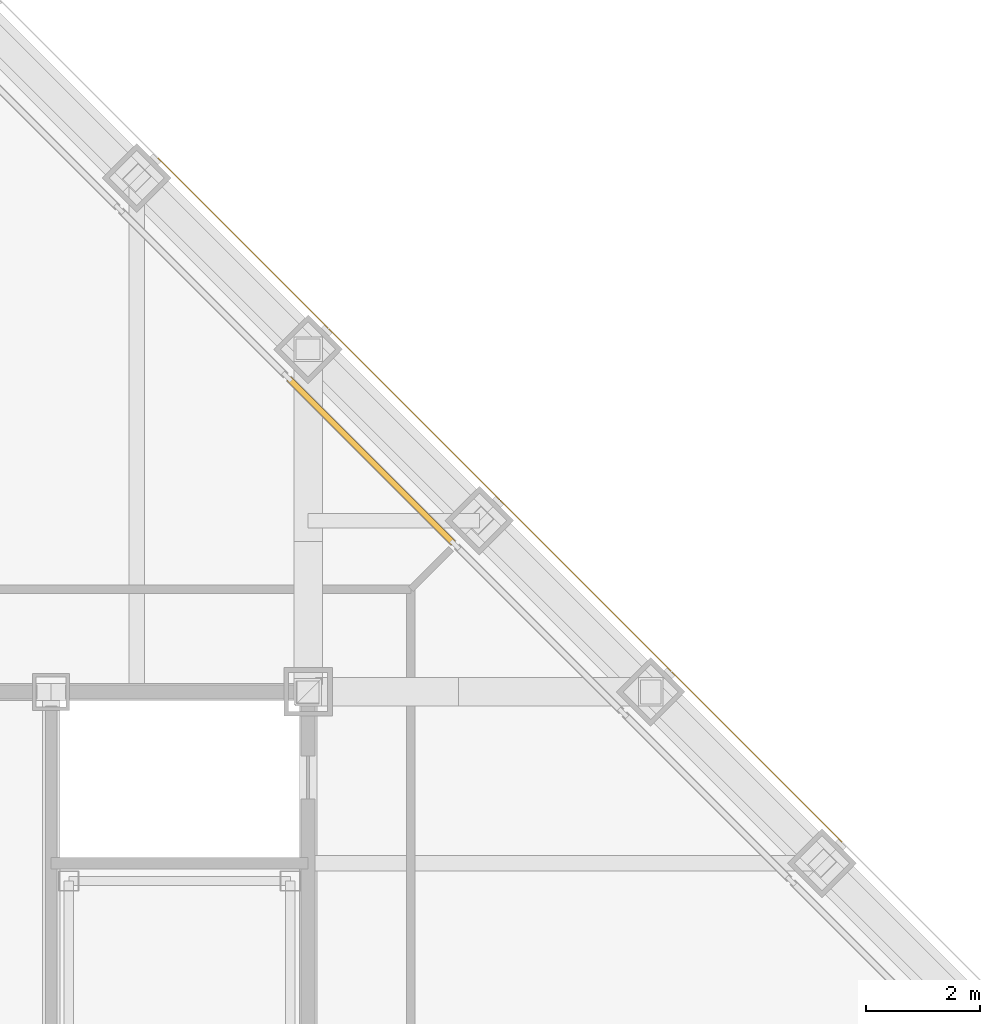
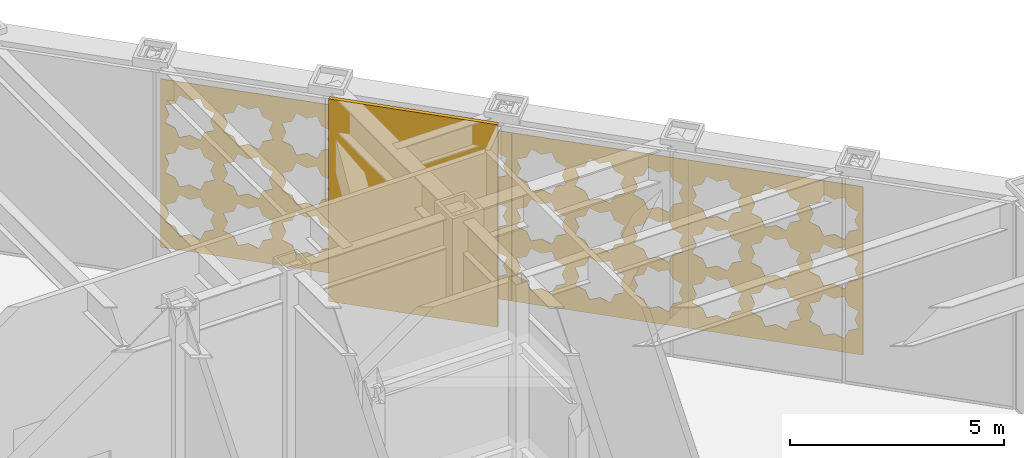
# One storey, part 28 of 28: 4 coverings, 1 shading device, 1 element without a shape of its own.
"""IFC4 building model written with IfcOpenShell, lengths in metres."""

from ifc_helpers import new_model, si_unit, direction, frame, origin, origin_2d, place, context, subcontext, project, spatial, polyline, rectangle, outline, extrude, material, layer, layer_set, type_object, element, aggregate, save


model = new_model("IFC4")

# Units and contexts
model_context = context("Model", 3, precision=1e-05, world=origin(), true_north=direction((0.0, 1.0)))
body_context = subcontext(model_context, "Body", "Model", "MODEL_VIEW")
ifc_project = project(units=[si_unit("LENGTHUNIT", "METRE"), si_unit("AREAUNIT", "SQUARE_METRE"), si_unit("VOLUMEUNIT", "CUBIC_METRE"), si_unit("PLANEANGLEUNIT", "RADIAN"), si_unit("MASSUNIT", "GRAM", prefix="KILO")], contexts=[model_context])

# Site, building, storey
site_placement = place(None, origin())
site = spatial("IfcSite", under=ifc_project, at=site_placement, CompositionType="ELEMENT")
building_placement = place(site_placement, origin())
building = spatial("IfcBuilding", under=site, at=building_placement, Name="Chuquiago Exchange Tower", CompositionType="ELEMENT")
storey_placement = place(building_placement, frame((0.0, 0.0, 174.0)))
storey = spatial("IfcBuildingStorey", under=building, at=storey_placement, Name="L38", CompositionType="ELEMENT", Elevation=174.0)

# Curtain wall, shading device
ifc_material_1 = material(Name="Aluminium curtain wall system", Category="aluminium")
ifc_layer_1 = layer(ifc_material_1, 0.199951171875)
ifc_layer_set_1 = layer_set([ifc_layer_1], Name="CW6 plant floor louvre wall")
curtain_wall_type = type_object("IfcCurtainWallType", Name="CW6 plant floor louvre wall", PredefinedType="NOTDEFINED", material=ifc_layer_set_1)
curtain_wall_placement = place(storey_placement, origin())
curtain_wall = element("IfcCurtainWall", 1, at=curtain_wall_placement, inside=storey, type_object=curtain_wall_type, Name="CW6 curtain wall L38", PredefinedType="NOTDEFINED")
ifc_material_2 = material(Name="Aluminium louvre", Category="aluminium")
ifc_layer_2 = layer(ifc_material_2, 0.10009765625)
ifc_layer_set_2 = layer_set([ifc_layer_2], Name="CW6-P louvre panel 100")
shading_device_type = type_object("IfcShadingDeviceType", Name="CW6-P louvre panel 100", PredefinedType="USERDEFINED", material=ifc_layer_set_2)
shading_device_placement = place(storey_placement, frame((34.10498046875, 37.04638671875, 0.0751953125), z_axis=(0.0, 0.0, 1.0), x_axis=(-0.707106781187, 0.707106781187, 0.0)))
shading_device = element("IfcShadingDevice", 2, at=shading_device_placement, type_object=shading_device_type, Name="CW6 panel 4.1", ObjectType="LOUVER", PredefinedType="USERDEFINED", context=body_context, shape_type="SweptSolid", body=[
    extrude(rectangle(XDim=4.084716796875, YDim=0.10009765625, at=origin_2d()), origin(), (0.0, 0.0, 1.0), 5.764892578125),
])
aggregate(curtain_wall, [shading_device])

# Coverings
ifc_material_3 = material(Name="Anodised aluminium, pale", Category="aluminium")
ifc_layer_3 = layer(ifc_material_3, 0.02001953125)
ifc_layer_set_3 = layer_set([ifc_layer_3], Name="GC2 girih cladding panel 20")
covering_type = type_object("IfcCoveringType", Name="GC2 girih cladding panel 20", PredefinedType="CLADDING", material=ifc_layer_set_3)
covering_1_placement = place(storey_placement, frame((42.35009765625, 30.357177734375, 0.050048828125), z_axis=(0.0, 0.0, 1.0), x_axis=(-0.707106781187, 0.707106781187, 0.0)))
element("IfcCovering", 3, at=covering_1_placement, inside=storey, type_object=covering_type, Name="Girih cladding panel L38 NE 2", PredefinedType="CLADDING", context=body_context, shape_type="SweptSolid", body=[
    extrude(outline(polyline([(0.0, 0.0), (4.232666015625, 0.0), (4.232666015625, 4.7900390625), (0.0, 4.7900390625), (0.0, 0.0)]), holes=[polyline([(1.2021484375, 0.984130859375), (1.304931640625, 1.232421875), (1.056640625, 1.33544921875), (0.953857421875, 1.583740234375), (0.70556640625, 1.480712890625), (0.45703125, 1.583740234375), (0.354248046875, 1.33544921875), (0.10595703125, 1.232421875), (0.208740234375, 0.984130859375), (0.10595703125, 0.735595703125), (0.354248046875, 0.6328125), (0.45703125, 0.384521484375), (0.705322265625, 0.4873046875), (0.953857421875, 0.384521484375), (1.056640625, 0.6328125), (1.304931640625, 0.735595703125), (1.2021484375, 0.984130859375)]), polyline([(2.613037109375, 0.984130859375), (2.7158203125, 1.232421875), (2.467529296875, 1.33544921875), (2.36474609375, 1.583740234375), (2.116455078125, 1.480712890625), (1.867919921875, 1.583740234375), (1.76513671875, 1.33544921875), (1.516845703125, 1.232421875), (1.61962890625, 0.984130859375), (1.516845703125, 0.735595703125), (1.76513671875, 0.6328125), (1.867919921875, 0.384521484375), (2.116455078125, 0.4873046875), (2.36474609375, 0.384521484375), (2.467529296875, 0.6328125), (2.7158203125, 0.735595703125), (2.613037109375, 0.984130859375)]), polyline([(4.02392578125, 0.984130859375), (4.126708984375, 1.232421875), (3.87841796875, 1.33544921875), (3.775634765625, 1.583740234375), (3.527099609375, 1.480712890625), (3.27880859375, 1.583740234375), (3.176025390625, 1.33544921875), (2.927734375, 1.232421875), (3.030517578125, 0.984130859375), (2.927734375, 0.735595703125), (3.176025390625, 0.6328125), (3.27880859375, 0.384521484375), (3.527099609375, 0.4873046875), (3.775634765625, 0.384521484375), (3.87841796875, 0.6328125), (4.126708984375, 0.735595703125), (4.02392578125, 0.984130859375)]), polyline([(1.2021484375, 2.39501953125), (1.304931640625, 2.643310546875), (1.056640625, 2.746337890625), (0.953857421875, 2.99462890625), (0.70556640625, 2.8916015625), (0.45703125, 2.99462890625), (0.354248046875, 2.746337890625), (0.10595703125, 2.643310546875), (0.208740234375, 2.39501953125), (0.10595703125, 2.146484375), (0.354248046875, 2.043701171875), (0.45703125, 1.79541015625), (0.705322265625, 1.898193359375), (0.953857421875, 1.79541015625), (1.056640625, 2.043701171875), (1.304931640625, 2.146484375), (1.2021484375, 2.39501953125)]), polyline([(2.613037109375, 2.39501953125), (2.7158203125, 2.643310546875), (2.467529296875, 2.746337890625), (2.36474609375, 2.99462890625), (2.116455078125, 2.8916015625), (1.867919921875, 2.99462890625), (1.76513671875, 2.746337890625), (1.516845703125, 2.643310546875), (1.61962890625, 2.39501953125), (1.516845703125, 2.146484375), (1.76513671875, 2.043701171875), (1.867919921875, 1.79541015625), (2.116455078125, 1.898193359375), (2.36474609375, 1.79541015625), (2.467529296875, 2.043701171875), (2.7158203125, 2.146484375), (2.613037109375, 2.39501953125)]), polyline([(4.02392578125, 2.39501953125), (4.126708984375, 2.643310546875), (3.87841796875, 2.746337890625), (3.775634765625, 2.99462890625), (3.527099609375, 2.8916015625), (3.27880859375, 2.99462890625), (3.176025390625, 2.746337890625), (2.927734375, 2.643310546875), (3.030517578125, 2.39501953125), (2.927734375, 2.146484375), (3.176025390625, 2.043701171875), (3.27880859375, 1.79541015625), (3.527099609375, 1.898193359375), (3.775634765625, 1.79541015625), (3.87841796875, 2.043701171875), (4.126708984375, 2.146484375), (4.02392578125, 2.39501953125)]), polyline([(1.2021484375, 3.805908203125), (1.304931640625, 4.05419921875), (1.056640625, 4.1572265625), (0.953857421875, 4.405517578125), (0.70556640625, 4.302490234375), (0.45703125, 4.405517578125), (0.354248046875, 4.1572265625), (0.10595703125, 4.05419921875), (0.208740234375, 3.805908203125), (0.10595703125, 3.557373046875), (0.354248046875, 3.45458984375), (0.45703125, 3.206298828125), (0.705322265625, 3.30908203125), (0.953857421875, 3.206298828125), (1.056640625, 3.45458984375), (1.304931640625, 3.557373046875), (1.2021484375, 3.805908203125)]), polyline([(2.613037109375, 3.805908203125), (2.7158203125, 4.05419921875), (2.467529296875, 4.1572265625), (2.36474609375, 4.405517578125), (2.116455078125, 4.302490234375), (1.867919921875, 4.405517578125), (1.76513671875, 4.1572265625), (1.516845703125, 4.05419921875), (1.61962890625, 3.805908203125), (1.516845703125, 3.557373046875), (1.76513671875, 3.45458984375), (1.867919921875, 3.206298828125), (2.116455078125, 3.30908203125), (2.36474609375, 3.206298828125), (2.467529296875, 3.45458984375), (2.7158203125, 3.557373046875), (2.613037109375, 3.805908203125)]), polyline([(4.02392578125, 3.805908203125), (4.126708984375, 4.05419921875), (3.87841796875, 4.1572265625), (3.775634765625, 4.405517578125), (3.527099609375, 4.302490234375), (3.27880859375, 4.405517578125), (3.176025390625, 4.1572265625), (2.927734375, 4.05419921875), (3.030517578125, 3.805908203125), (2.927734375, 3.557373046875), (3.176025390625, 3.45458984375), (3.27880859375, 3.206298828125), (3.527099609375, 3.30908203125), (3.775634765625, 3.206298828125), (3.87841796875, 3.45458984375), (4.126708984375, 3.557373046875), (4.02392578125, 3.805908203125)])]), frame((0.0, 0.0, 0.0), z_axis=(0.0, -1.0, 0.0), x_axis=(1.0, 0.0, 0.0)), (0.0, 0.0, 1.0), 0.02001953125),
])
covering_2_placement = place(storey_placement, frame((39.35009765625, 33.357177734375, 0.050048828125), z_axis=(0.0, 0.0, 1.0), x_axis=(-0.707106781187, 0.707106781187, 0.0)))
element("IfcCovering", 4, at=covering_2_placement, inside=storey, type_object=covering_type, Name="Girih cladding panel L38 NE 3", PredefinedType="CLADDING", context=body_context, shape_type="SweptSolid", body=[
    extrude(outline(polyline([(0.0, 0.0), (4.232666015625, 0.0), (4.232666015625, 4.7900390625), (0.0, 4.7900390625), (0.0, 0.0)]), holes=[polyline([(1.2021484375, 0.984130859375), (1.304931640625, 1.232421875), (1.056640625, 1.33544921875), (0.953857421875, 1.583740234375), (0.70556640625, 1.480712890625), (0.45703125, 1.583740234375), (0.354248046875, 1.33544921875), (0.10595703125, 1.232421875), (0.208740234375, 0.984130859375), (0.10595703125, 0.735595703125), (0.354248046875, 0.6328125), (0.45703125, 0.384521484375), (0.705322265625, 0.4873046875), (0.953857421875, 0.384521484375), (1.056640625, 0.6328125), (1.304931640625, 0.735595703125), (1.2021484375, 0.984130859375)]), polyline([(2.613037109375, 0.984130859375), (2.7158203125, 1.232421875), (2.467529296875, 1.33544921875), (2.36474609375, 1.583740234375), (2.116455078125, 1.480712890625), (1.867919921875, 1.583740234375), (1.76513671875, 1.33544921875), (1.516845703125, 1.232421875), (1.61962890625, 0.984130859375), (1.516845703125, 0.735595703125), (1.76513671875, 0.6328125), (1.867919921875, 0.384521484375), (2.116455078125, 0.4873046875), (2.36474609375, 0.384521484375), (2.467529296875, 0.6328125), (2.7158203125, 0.735595703125), (2.613037109375, 0.984130859375)]), polyline([(4.02392578125, 0.984130859375), (4.126708984375, 1.232421875), (3.87841796875, 1.33544921875), (3.775634765625, 1.583740234375), (3.527099609375, 1.480712890625), (3.27880859375, 1.583740234375), (3.176025390625, 1.33544921875), (2.927734375, 1.232421875), (3.030517578125, 0.984130859375), (2.927734375, 0.735595703125), (3.176025390625, 0.6328125), (3.27880859375, 0.384521484375), (3.527099609375, 0.4873046875), (3.775634765625, 0.384521484375), (3.87841796875, 0.6328125), (4.126708984375, 0.735595703125), (4.02392578125, 0.984130859375)]), polyline([(1.2021484375, 2.39501953125), (1.304931640625, 2.643310546875), (1.056640625, 2.746337890625), (0.953857421875, 2.99462890625), (0.70556640625, 2.8916015625), (0.45703125, 2.99462890625), (0.354248046875, 2.746337890625), (0.10595703125, 2.643310546875), (0.208740234375, 2.39501953125), (0.10595703125, 2.146484375), (0.354248046875, 2.043701171875), (0.45703125, 1.79541015625), (0.705322265625, 1.898193359375), (0.953857421875, 1.79541015625), (1.056640625, 2.043701171875), (1.304931640625, 2.146484375), (1.2021484375, 2.39501953125)]), polyline([(2.613037109375, 2.39501953125), (2.7158203125, 2.643310546875), (2.467529296875, 2.746337890625), (2.36474609375, 2.99462890625), (2.116455078125, 2.8916015625), (1.867919921875, 2.99462890625), (1.76513671875, 2.746337890625), (1.516845703125, 2.643310546875), (1.61962890625, 2.39501953125), (1.516845703125, 2.146484375), (1.76513671875, 2.043701171875), (1.867919921875, 1.79541015625), (2.116455078125, 1.898193359375), (2.36474609375, 1.79541015625), (2.467529296875, 2.043701171875), (2.7158203125, 2.146484375), (2.613037109375, 2.39501953125)]), polyline([(4.02392578125, 2.39501953125), (4.126708984375, 2.643310546875), (3.87841796875, 2.746337890625), (3.775634765625, 2.99462890625), (3.527099609375, 2.8916015625), (3.27880859375, 2.99462890625), (3.176025390625, 2.746337890625), (2.927734375, 2.643310546875), (3.030517578125, 2.39501953125), (2.927734375, 2.146484375), (3.176025390625, 2.043701171875), (3.27880859375, 1.79541015625), (3.527099609375, 1.898193359375), (3.775634765625, 1.79541015625), (3.87841796875, 2.043701171875), (4.126708984375, 2.146484375), (4.02392578125, 2.39501953125)]), polyline([(1.2021484375, 3.805908203125), (1.304931640625, 4.05419921875), (1.056640625, 4.1572265625), (0.953857421875, 4.405517578125), (0.70556640625, 4.302490234375), (0.45703125, 4.405517578125), (0.354248046875, 4.1572265625), (0.10595703125, 4.05419921875), (0.208740234375, 3.805908203125), (0.10595703125, 3.557373046875), (0.354248046875, 3.45458984375), (0.45703125, 3.206298828125), (0.705322265625, 3.30908203125), (0.953857421875, 3.206298828125), (1.056640625, 3.45458984375), (1.304931640625, 3.557373046875), (1.2021484375, 3.805908203125)]), polyline([(2.613037109375, 3.805908203125), (2.7158203125, 4.05419921875), (2.467529296875, 4.1572265625), (2.36474609375, 4.405517578125), (2.116455078125, 4.302490234375), (1.867919921875, 4.405517578125), (1.76513671875, 4.1572265625), (1.516845703125, 4.05419921875), (1.61962890625, 3.805908203125), (1.516845703125, 3.557373046875), (1.76513671875, 3.45458984375), (1.867919921875, 3.206298828125), (2.116455078125, 3.30908203125), (2.36474609375, 3.206298828125), (2.467529296875, 3.45458984375), (2.7158203125, 3.557373046875), (2.613037109375, 3.805908203125)]), polyline([(4.02392578125, 3.805908203125), (4.126708984375, 4.05419921875), (3.87841796875, 4.1572265625), (3.775634765625, 4.405517578125), (3.527099609375, 4.302490234375), (3.27880859375, 4.405517578125), (3.176025390625, 4.1572265625), (2.927734375, 4.05419921875), (3.030517578125, 3.805908203125), (2.927734375, 3.557373046875), (3.176025390625, 3.45458984375), (3.27880859375, 3.206298828125), (3.527099609375, 3.30908203125), (3.775634765625, 3.206298828125), (3.87841796875, 3.45458984375), (4.126708984375, 3.557373046875), (4.02392578125, 3.805908203125)])]), frame((0.0, 0.0, 0.0), z_axis=(0.0, -1.0, 0.0), x_axis=(1.0, 0.0, 0.0)), (0.0, 0.0, 1.0), 0.02001953125),
])
covering_3_placement = place(storey_placement, frame((36.35009765625, 36.357177734375, 0.050048828125), z_axis=(0.0, 0.0, 1.0), x_axis=(-0.707106781187, 0.707106781187, 0.0)))
element("IfcCovering", 5, at=covering_3_placement, inside=storey, type_object=covering_type, Name="Girih cladding panel L38 NE 4", PredefinedType="CLADDING", context=body_context, shape_type="SweptSolid", body=[
    extrude(outline(polyline([(0.0, 0.0), (4.232666015625, 0.0), (4.232666015625, 4.7900390625), (0.0, 4.7900390625), (0.0, 0.0)]), holes=[polyline([(1.2021484375, 0.984130859375), (1.304931640625, 1.232421875), (1.056640625, 1.33544921875), (0.953857421875, 1.583740234375), (0.70556640625, 1.480712890625), (0.45703125, 1.583740234375), (0.354248046875, 1.33544921875), (0.10595703125, 1.232421875), (0.208740234375, 0.984130859375), (0.10595703125, 0.735595703125), (0.354248046875, 0.6328125), (0.45703125, 0.384521484375), (0.705322265625, 0.4873046875), (0.953857421875, 0.384521484375), (1.056640625, 0.6328125), (1.304931640625, 0.735595703125), (1.2021484375, 0.984130859375)]), polyline([(2.613037109375, 0.984130859375), (2.7158203125, 1.232421875), (2.467529296875, 1.33544921875), (2.36474609375, 1.583740234375), (2.116455078125, 1.480712890625), (1.867919921875, 1.583740234375), (1.76513671875, 1.33544921875), (1.516845703125, 1.232421875), (1.61962890625, 0.984130859375), (1.516845703125, 0.735595703125), (1.76513671875, 0.6328125), (1.867919921875, 0.384521484375), (2.116455078125, 0.4873046875), (2.36474609375, 0.384521484375), (2.467529296875, 0.6328125), (2.7158203125, 0.735595703125), (2.613037109375, 0.984130859375)]), polyline([(4.02392578125, 0.984130859375), (4.126708984375, 1.232421875), (3.87841796875, 1.33544921875), (3.775634765625, 1.583740234375), (3.527099609375, 1.480712890625), (3.27880859375, 1.583740234375), (3.176025390625, 1.33544921875), (2.927734375, 1.232421875), (3.030517578125, 0.984130859375), (2.927734375, 0.735595703125), (3.176025390625, 0.6328125), (3.27880859375, 0.384521484375), (3.527099609375, 0.4873046875), (3.775634765625, 0.384521484375), (3.87841796875, 0.6328125), (4.126708984375, 0.735595703125), (4.02392578125, 0.984130859375)]), polyline([(1.2021484375, 2.39501953125), (1.304931640625, 2.643310546875), (1.056640625, 2.746337890625), (0.953857421875, 2.99462890625), (0.70556640625, 2.8916015625), (0.45703125, 2.99462890625), (0.354248046875, 2.746337890625), (0.10595703125, 2.643310546875), (0.208740234375, 2.39501953125), (0.10595703125, 2.146484375), (0.354248046875, 2.043701171875), (0.45703125, 1.79541015625), (0.705322265625, 1.898193359375), (0.953857421875, 1.79541015625), (1.056640625, 2.043701171875), (1.304931640625, 2.146484375), (1.2021484375, 2.39501953125)]), polyline([(2.613037109375, 2.39501953125), (2.7158203125, 2.643310546875), (2.467529296875, 2.746337890625), (2.36474609375, 2.99462890625), (2.116455078125, 2.8916015625), (1.867919921875, 2.99462890625), (1.76513671875, 2.746337890625), (1.516845703125, 2.643310546875), (1.61962890625, 2.39501953125), (1.516845703125, 2.146484375), (1.76513671875, 2.043701171875), (1.867919921875, 1.79541015625), (2.116455078125, 1.898193359375), (2.36474609375, 1.79541015625), (2.467529296875, 2.043701171875), (2.7158203125, 2.146484375), (2.613037109375, 2.39501953125)]), polyline([(4.02392578125, 2.39501953125), (4.126708984375, 2.643310546875), (3.87841796875, 2.746337890625), (3.775634765625, 2.99462890625), (3.527099609375, 2.8916015625), (3.27880859375, 2.99462890625), (3.176025390625, 2.746337890625), (2.927734375, 2.643310546875), (3.030517578125, 2.39501953125), (2.927734375, 2.146484375), (3.176025390625, 2.043701171875), (3.27880859375, 1.79541015625), (3.527099609375, 1.898193359375), (3.775634765625, 1.79541015625), (3.87841796875, 2.043701171875), (4.126708984375, 2.146484375), (4.02392578125, 2.39501953125)]), polyline([(1.2021484375, 3.805908203125), (1.304931640625, 4.05419921875), (1.056640625, 4.1572265625), (0.953857421875, 4.405517578125), (0.70556640625, 4.302490234375), (0.45703125, 4.405517578125), (0.354248046875, 4.1572265625), (0.10595703125, 4.05419921875), (0.208740234375, 3.805908203125), (0.10595703125, 3.557373046875), (0.354248046875, 3.45458984375), (0.45703125, 3.206298828125), (0.705322265625, 3.30908203125), (0.953857421875, 3.206298828125), (1.056640625, 3.45458984375), (1.304931640625, 3.557373046875), (1.2021484375, 3.805908203125)]), polyline([(2.613037109375, 3.805908203125), (2.7158203125, 4.05419921875), (2.467529296875, 4.1572265625), (2.36474609375, 4.405517578125), (2.116455078125, 4.302490234375), (1.867919921875, 4.405517578125), (1.76513671875, 4.1572265625), (1.516845703125, 4.05419921875), (1.61962890625, 3.805908203125), (1.516845703125, 3.557373046875), (1.76513671875, 3.45458984375), (1.867919921875, 3.206298828125), (2.116455078125, 3.30908203125), (2.36474609375, 3.206298828125), (2.467529296875, 3.45458984375), (2.7158203125, 3.557373046875), (2.613037109375, 3.805908203125)]), polyline([(4.02392578125, 3.805908203125), (4.126708984375, 4.05419921875), (3.87841796875, 4.1572265625), (3.775634765625, 4.405517578125), (3.527099609375, 4.302490234375), (3.27880859375, 4.405517578125), (3.176025390625, 4.1572265625), (2.927734375, 4.05419921875), (3.030517578125, 3.805908203125), (2.927734375, 3.557373046875), (3.176025390625, 3.45458984375), (3.27880859375, 3.206298828125), (3.527099609375, 3.30908203125), (3.775634765625, 3.206298828125), (3.87841796875, 3.45458984375), (4.126708984375, 3.557373046875), (4.02392578125, 3.805908203125)])]), frame((0.0, 0.0, 0.0), z_axis=(0.0, -1.0, 0.0), x_axis=(1.0, 0.0, 0.0)), (0.0, 0.0, 1.0), 0.02001953125),
])
covering_4_placement = place(storey_placement, frame((33.35009765625, 39.357177734375, 0.050048828125), z_axis=(0.0, 0.0, 1.0), x_axis=(-0.707106781187, 0.707106781187, 0.0)))
element("IfcCovering", 6, at=covering_4_placement, inside=storey, type_object=covering_type, Name="Girih cladding panel L38 NE 5", PredefinedType="CLADDING", context=body_context, shape_type="SweptSolid", body=[
    extrude(outline(polyline([(0.0, 0.0), (4.232666015625, 0.0), (4.232666015625, 4.7900390625), (0.0, 4.7900390625), (0.0, 0.0)]), holes=[polyline([(1.2021484375, 0.984130859375), (1.304931640625, 1.232421875), (1.056640625, 1.33544921875), (0.953857421875, 1.583740234375), (0.70556640625, 1.480712890625), (0.45703125, 1.583740234375), (0.354248046875, 1.33544921875), (0.10595703125, 1.232421875), (0.208740234375, 0.984130859375), (0.10595703125, 0.735595703125), (0.354248046875, 0.6328125), (0.45703125, 0.384521484375), (0.705322265625, 0.4873046875), (0.953857421875, 0.384521484375), (1.056640625, 0.6328125), (1.304931640625, 0.735595703125), (1.2021484375, 0.984130859375)]), polyline([(2.613037109375, 0.984130859375), (2.7158203125, 1.232421875), (2.467529296875, 1.33544921875), (2.36474609375, 1.583740234375), (2.116455078125, 1.480712890625), (1.867919921875, 1.583740234375), (1.76513671875, 1.33544921875), (1.516845703125, 1.232421875), (1.61962890625, 0.984130859375), (1.516845703125, 0.735595703125), (1.76513671875, 0.6328125), (1.867919921875, 0.384521484375), (2.116455078125, 0.4873046875), (2.36474609375, 0.384521484375), (2.467529296875, 0.6328125), (2.7158203125, 0.735595703125), (2.613037109375, 0.984130859375)]), polyline([(4.02392578125, 0.984130859375), (4.126708984375, 1.232421875), (3.87841796875, 1.33544921875), (3.775634765625, 1.583740234375), (3.527099609375, 1.480712890625), (3.27880859375, 1.583740234375), (3.176025390625, 1.33544921875), (2.927734375, 1.232421875), (3.030517578125, 0.984130859375), (2.927734375, 0.735595703125), (3.176025390625, 0.6328125), (3.27880859375, 0.384521484375), (3.527099609375, 0.4873046875), (3.775634765625, 0.384521484375), (3.87841796875, 0.6328125), (4.126708984375, 0.735595703125), (4.02392578125, 0.984130859375)]), polyline([(1.2021484375, 2.39501953125), (1.304931640625, 2.643310546875), (1.056640625, 2.746337890625), (0.953857421875, 2.99462890625), (0.70556640625, 2.8916015625), (0.45703125, 2.99462890625), (0.354248046875, 2.746337890625), (0.10595703125, 2.643310546875), (0.208740234375, 2.39501953125), (0.10595703125, 2.146484375), (0.354248046875, 2.043701171875), (0.45703125, 1.79541015625), (0.705322265625, 1.898193359375), (0.953857421875, 1.79541015625), (1.056640625, 2.043701171875), (1.304931640625, 2.146484375), (1.2021484375, 2.39501953125)]), polyline([(2.613037109375, 2.39501953125), (2.7158203125, 2.643310546875), (2.467529296875, 2.746337890625), (2.36474609375, 2.99462890625), (2.116455078125, 2.8916015625), (1.867919921875, 2.99462890625), (1.76513671875, 2.746337890625), (1.516845703125, 2.643310546875), (1.61962890625, 2.39501953125), (1.516845703125, 2.146484375), (1.76513671875, 2.043701171875), (1.867919921875, 1.79541015625), (2.116455078125, 1.898193359375), (2.36474609375, 1.79541015625), (2.467529296875, 2.043701171875), (2.7158203125, 2.146484375), (2.613037109375, 2.39501953125)]), polyline([(4.02392578125, 2.39501953125), (4.126708984375, 2.643310546875), (3.87841796875, 2.746337890625), (3.775634765625, 2.99462890625), (3.527099609375, 2.8916015625), (3.27880859375, 2.99462890625), (3.176025390625, 2.746337890625), (2.927734375, 2.643310546875), (3.030517578125, 2.39501953125), (2.927734375, 2.146484375), (3.176025390625, 2.043701171875), (3.27880859375, 1.79541015625), (3.527099609375, 1.898193359375), (3.775634765625, 1.79541015625), (3.87841796875, 2.043701171875), (4.126708984375, 2.146484375), (4.02392578125, 2.39501953125)]), polyline([(1.2021484375, 3.805908203125), (1.304931640625, 4.05419921875), (1.056640625, 4.1572265625), (0.953857421875, 4.405517578125), (0.70556640625, 4.302490234375), (0.45703125, 4.405517578125), (0.354248046875, 4.1572265625), (0.10595703125, 4.05419921875), (0.208740234375, 3.805908203125), (0.10595703125, 3.557373046875), (0.354248046875, 3.45458984375), (0.45703125, 3.206298828125), (0.705322265625, 3.30908203125), (0.953857421875, 3.206298828125), (1.056640625, 3.45458984375), (1.304931640625, 3.557373046875), (1.2021484375, 3.805908203125)]), polyline([(2.613037109375, 3.805908203125), (2.7158203125, 4.05419921875), (2.467529296875, 4.1572265625), (2.36474609375, 4.405517578125), (2.116455078125, 4.302490234375), (1.867919921875, 4.405517578125), (1.76513671875, 4.1572265625), (1.516845703125, 4.05419921875), (1.61962890625, 3.805908203125), (1.516845703125, 3.557373046875), (1.76513671875, 3.45458984375), (1.867919921875, 3.206298828125), (2.116455078125, 3.30908203125), (2.36474609375, 3.206298828125), (2.467529296875, 3.45458984375), (2.7158203125, 3.557373046875), (2.613037109375, 3.805908203125)]), polyline([(4.02392578125, 3.805908203125), (4.126708984375, 4.05419921875), (3.87841796875, 4.1572265625), (3.775634765625, 4.405517578125), (3.527099609375, 4.302490234375), (3.27880859375, 4.405517578125), (3.176025390625, 4.1572265625), (2.927734375, 4.05419921875), (3.030517578125, 3.805908203125), (2.927734375, 3.557373046875), (3.176025390625, 3.45458984375), (3.27880859375, 3.206298828125), (3.527099609375, 3.30908203125), (3.775634765625, 3.206298828125), (3.87841796875, 3.45458984375), (4.126708984375, 3.557373046875), (4.02392578125, 3.805908203125)])]), frame((0.0, 0.0, 0.0), z_axis=(0.0, -1.0, 0.0), x_axis=(1.0, 0.0, 0.0)), (0.0, 0.0, 1.0), 0.02001953125),
])

save(model, "model.ifc")
